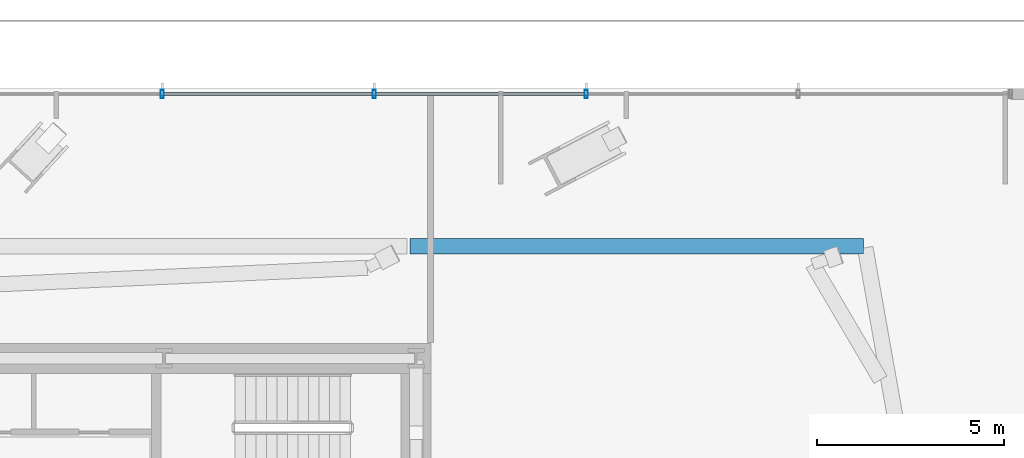
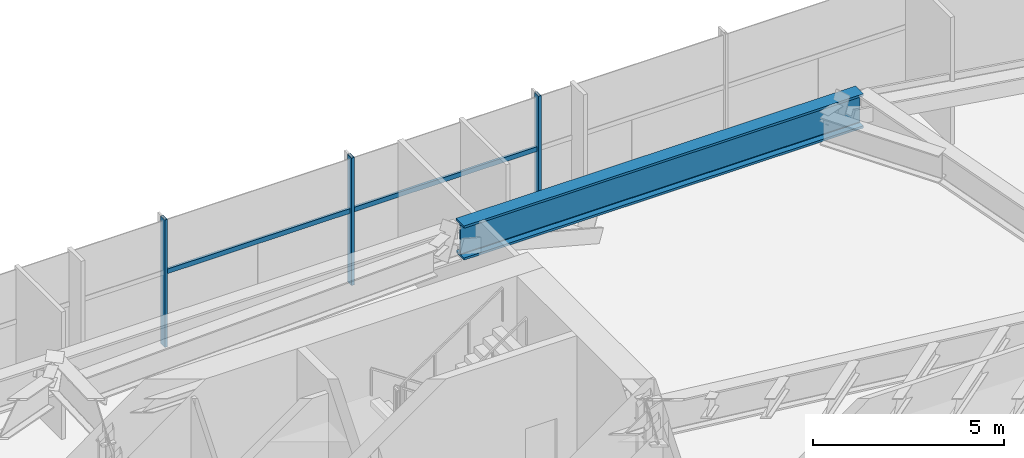
# One storey, part 17 of 29: 5 members, 1 beam, 1 element without a shape of its own.
"""IFC4 building model written with IfcOpenShell, lengths in metres."""

from ifc_helpers import new_model, si_unit, direction, frame, origin, origin_2d, place, context, subcontext, project, spatial, hollow_rectangle, i_section, extrude, source, transform, mapped, material, material_profile, profile_set, type_object, type_shapes, element, aggregate, save


model = new_model("IFC4")

# Units and contexts
model_context = context("Model", 3, precision=1e-05, world=origin(), true_north=direction((0.0, 1.0)))
body_context = subcontext(model_context, "Body", "Model", "MODEL_VIEW")
ifc_project = project(units=[si_unit("LENGTHUNIT", "METRE"), si_unit("AREAUNIT", "SQUARE_METRE"), si_unit("VOLUMEUNIT", "CUBIC_METRE"), si_unit("PLANEANGLEUNIT", "RADIAN"), si_unit("MASSUNIT", "GRAM", prefix="KILO")], contexts=[model_context])

# Site, building, storey
site_placement = place(None, origin())
site = spatial("IfcSite", under=ifc_project, at=site_placement, CompositionType="ELEMENT")
building_placement = place(site_placement, origin())
building = spatial("IfcBuilding", under=site, at=building_placement, Name="Astriad Promenade Condominiums", CompositionType="ELEMENT")
storey_placement = place(building_placement, frame((0.0, 0.0, 18.5)))
storey = spatial("IfcBuildingStorey", under=building, at=storey_placement, Name="L04", CompositionType="ELEMENT", Elevation=18.5)

# Beam
ifc_material_1 = material(Name="Steel ASTM A992 Grade 50", Category="steel")
ifc_material_profile_1 = material_profile(ifc_material_1, i_section(OverallWidth=0.4169921875, OverallDepth=1.093505859375, WebThickness=0.0390625, FlangeThickness=0.070068359375, FilletRadius=0.025390625, at=origin_2d()), Name="W40X503")
ifc_profile_set_1 = profile_set([ifc_material_profile_1], Name="Steel ASTM A992 Grade 50")
beam_type = type_object("IfcBeamType", Name="STEEL TRANSFER GIRDER W40X503", PredefinedType="BEAM", material=ifc_profile_set_1)
shared_shape_1 = source(origin(), body_context, "Body", "SweptSolid", [
    extrude(i_section(OverallWidth=0.4169921875, OverallDepth=1.093505859375, WebThickness=0.0390625, FlangeThickness=0.070068359375, FilletRadius=0.025390625, at=origin_2d()), origin(), (0.0, 0.0, 1.0), 12.09033203125),
])
type_shapes(beam_type, [shared_shape_1])
beam_placement = place(storey_placement, frame((57.529541015625, 26.989013671875, 3.533203125), z_axis=(-1.0, 0.0, 0.0), x_axis=(0.0, -1.0, 0.0)))
element("IfcBeam", 1, at=beam_placement, inside=storey, type_object=beam_type, Name="Perimeter Spandrel Beam SP-N4-L04", PredefinedType="BEAM", context=body_context, shape_type="MappedRepresentation", body=[
    mapped(shared_shape_1, transform((0.0, 0.0, 0.0), scale=1.0)),
])

# Curtain wall, members
ifc_material_2 = material(Name="Anodised aluminium Black Dark Glass Unitised", Category="aluminium")
curtain_wall_type = type_object("IfcCurtainWallType", Name="CW-POD-DARK", PredefinedType="USERDEFINED", material=ifc_material_2)
curtain_wall_placement = place(storey_placement, origin())
curtain_wall = element("IfcCurtainWall", 2, at=curtain_wall_placement, inside=storey, type_object=curtain_wall_type, Name="CW-L04-N", ObjectType="UNITISED_CURTAIN_WALL", PredefinedType="USERDEFINED")
ifc_material_3 = material(Name="Anodised aluminium 6063-T6 Black", Category="aluminium")
ifc_material_profile_2 = material_profile(ifc_material_3, hollow_rectangle(XDim=0.0849609375, YDim=0.219970703125, WallThickness=0.0048828125, at=origin_2d()), Name="ALU-MUL-85X220")
ifc_profile_set_2 = profile_set([ifc_material_profile_2], Name="Anodised aluminium 6063-T6 Black")
member_type_1 = type_object("IfcMemberType", Name="MUL-ALU-MUL-85X220", PredefinedType="MULLION", material=ifc_profile_set_2)
shared_shape_2 = source(origin(), body_context, "Body", "SweptSolid", [
    extrude(hollow_rectangle(XDim=0.0849609375, YDim=0.219970703125, WallThickness=0.0048828125, at=origin_2d()), origin(), (0.0, 0.0, 1.0), 4.080078125),
])
type_shapes(member_type_1, [shared_shape_2])
member_1_placement = place(storey_placement, frame((38.827880859375, 31.050048828125, 0.0), z_axis=(0.0, 0.0, 1.0), x_axis=(1.0, 0.0, 0.0)))
member_1 = element("IfcMember", 3, at=member_1_placement, type_object=member_type_1, Name="CW-L04-N-MUL-05", PredefinedType="MULLION", context=body_context, shape_type="MappedRepresentation", body=[
    mapped(shared_shape_2, transform((0.0, 0.0, 0.0), scale=1.0)),
])
member_2_placement = place(storey_placement, frame((44.4833984375, 31.050048828125, 0.0), z_axis=(0.0, 0.0, 1.0), x_axis=(1.0, 0.0, 0.0)))
member_2 = element("IfcMember", 4, at=member_2_placement, type_object=member_type_1, Name="CW-L04-N-MUL-06", PredefinedType="MULLION", context=body_context, shape_type="MappedRepresentation", body=[
    mapped(shared_shape_2, transform((0.0, 0.0, 0.0), scale=1.0)),
])
member_3_placement = place(storey_placement, frame((50.138916015625, 31.050048828125, 0.0), z_axis=(0.0, 0.0, 1.0), x_axis=(1.0, 0.0, 0.0)))
member_3 = element("IfcMember", 5, at=member_3_placement, type_object=member_type_1, Name="CW-L04-N-MUL-07", PredefinedType="MULLION", context=body_context, shape_type="MappedRepresentation", body=[
    mapped(shared_shape_2, transform((0.0, 0.0, 0.0), scale=1.0)),
])
ifc_material_profile_3 = material_profile(ifc_material_3, hollow_rectangle(XDim=0.074951171875, YDim=0.14990234375, WallThickness=0.004150390625, at=origin_2d()), Name="ALU-TRN-75X150")
ifc_profile_set_3 = profile_set([ifc_material_profile_3], Name="Anodised aluminium 6063-T6 Black")
member_type_2 = type_object("IfcMemberType", Name="TRN-ALU-TRN-75X150", PredefinedType="USERDEFINED", material=ifc_profile_set_3)
shared_shape_3 = source(origin(), body_context, "Body", "SweptSolid", [
    extrude(hollow_rectangle(XDim=0.074951171875, YDim=0.14990234375, WallThickness=0.004150390625, at=origin_2d()), origin(), (0.0, 0.0, 1.0), 5.655517578125),
])
type_shapes(member_type_2, [shared_shape_3])
member_4_placement = place(storey_placement, frame((38.827880859375, 31.050048828125, 2.35009765625), z_axis=(1.0, 0.0, 0.0), x_axis=(0.0, 1.0, 0.0)))
member_4 = element("IfcMember", 6, at=member_4_placement, type_object=member_type_2, Name="CW-L04-N-TRN-05-0", ObjectType="TRANSOM", PredefinedType="USERDEFINED", context=body_context, shape_type="MappedRepresentation", body=[
    mapped(shared_shape_3, transform((0.0, 0.0, 0.0), scale=1.0)),
])
member_5_placement = place(storey_placement, frame((44.4833984375, 31.050048828125, 2.35009765625), z_axis=(1.0, 0.0, 0.0), x_axis=(0.0, 1.0, 0.0)))
member_5 = element("IfcMember", 7, at=member_5_placement, type_object=member_type_2, Name="CW-L04-N-TRN-06-0", ObjectType="TRANSOM", PredefinedType="USERDEFINED", context=body_context, shape_type="MappedRepresentation", body=[
    mapped(shared_shape_3, transform((0.0, 0.0, 0.0), scale=1.0)),
])
aggregate(curtain_wall, [member_1, member_2, member_3, member_4, member_5])

save(model, "model.ifc")
